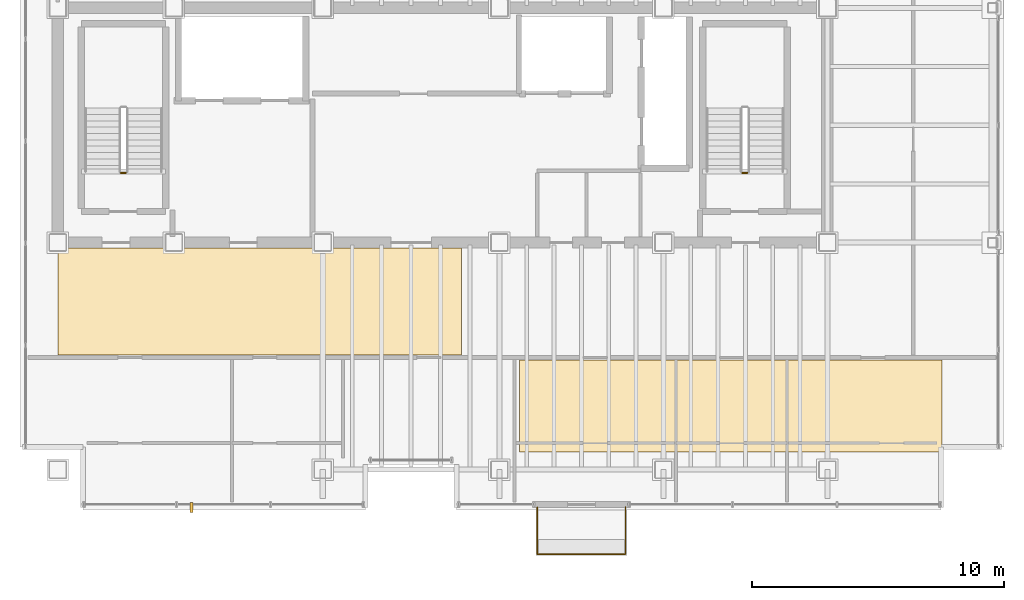
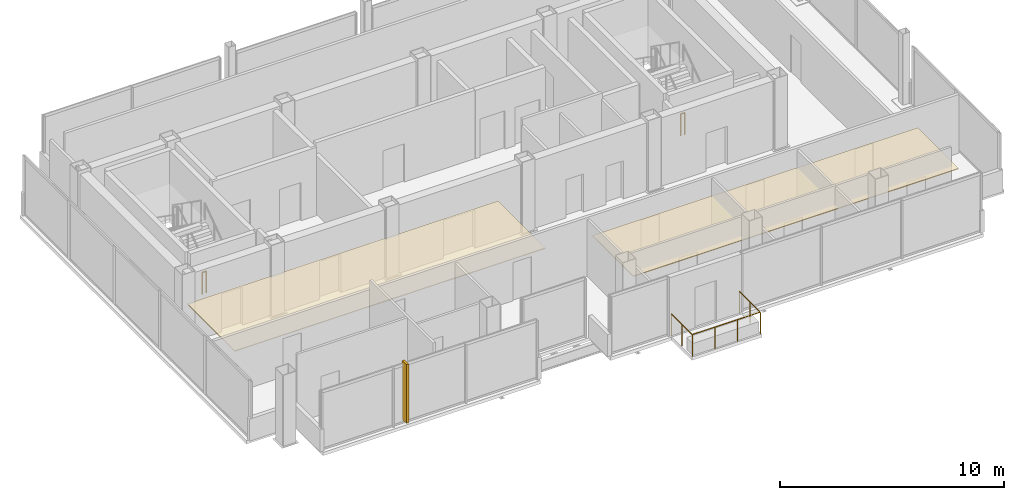
# One storey, part 16 of 17: 3 railings, 2 coverings, 1 shading device.
"""IFC4 building model written with IfcOpenShell, lengths in metres."""

from ifc_helpers import new_model, si_unit, direction, frame, origin, origin_2d, place, context, subcontext, project, spatial, polyline, rectangle, circle, outline, extrude, material, layer, layer_set, type_object, element, save


model = new_model("IFC4")

# Units and contexts
model_context = context("Model", 3, precision=1e-05, world=origin(), true_north=direction((0.0, 1.0)))
body_context = subcontext(model_context, "Body", "Model", "MODEL_VIEW")
ifc_project = project(units=[si_unit("LENGTHUNIT", "METRE"), si_unit("AREAUNIT", "SQUARE_METRE"), si_unit("VOLUMEUNIT", "CUBIC_METRE"), si_unit("PLANEANGLEUNIT", "RADIAN"), si_unit("MASSUNIT", "GRAM", prefix="KILO")], contexts=[model_context])

# Site, building, storey
site_placement = place(None, origin())
site = spatial("IfcSite", under=ifc_project, at=site_placement, CompositionType="ELEMENT")
building_placement = place(site_placement, origin())
building = spatial("IfcBuilding", under=site, at=building_placement, Name="Noeulbin Bourse Tower", CompositionType="ELEMENT")
storey_placement = place(building_placement, frame((0.0, 0.0, 293.0)))
storey = spatial("IfcBuildingStorey", under=building, at=storey_placement, Name="L73", CompositionType="ELEMENT", Elevation=293.0)

# Coverings
ifc_material_1 = material(Name="Perforated Mineral-Fibre Acoustic Tile")
ifc_layer_1 = layer(ifc_material_1, 0.0400390625)
ifc_layer_set_1 = layer_set([ifc_layer_1], Name="Perforated Mineral-Fibre Acoustic Tile")
covering_type_1 = type_object("IfcCoveringType", Name="COV-CEIL-ACT", PredefinedType="CEILING", material=ifc_layer_set_1)
covering_1_placement = place(storey_placement, frame((0.0, 0.0, 2.110107421875)))
element("IfcCovering", 1, at=covering_1_placement, inside=storey, type_object=covering_type_1, Name="Trading Suite Acoustic Ceiling L73", PredefinedType="CEILING", context=body_context, shape_type="SweptSolid", body=[
    extrude(outline(polyline([(31.800048828125, 20.699951171875), (48.550048828125, 20.699951171875), (48.550048828125, 24.35009765625), (31.800048828125, 24.35009765625), (31.800048828125, 20.699951171875)])), origin(), (0.0, 0.0, 1.0), 0.039794921875),
])
ifc_material_2 = material(Name="Linear Anodised Aluminium Baffle Ceiling", Category="aluminium")
ifc_layer_2 = layer(ifc_material_2, 0.050048828125)
ifc_layer_set_2 = layer_set([ifc_layer_2], Name="Linear Anodised Aluminium Baffle Ceiling")
covering_type_2 = type_object("IfcCoveringType", Name="COV-CEIL-MTL", PredefinedType="CEILING", material=ifc_layer_set_2)
covering_2_placement = place(storey_placement, frame((0.0, 0.0, 2.110107421875)))
element("IfcCovering", 2, at=covering_2_placement, inside=storey, type_object=covering_type_2, Name="Corridor Suspended Ceiling L73", PredefinedType="CEILING", context=body_context, shape_type="SweptSolid", body=[
    extrude(outline(polyline([(13.5, 24.550048828125), (29.5, 24.550048828125), (29.5, 28.780029296875), (13.5, 28.780029296875), (13.5, 24.550048828125)])), origin(), (0.0, 0.0, 1.0), 0.039794921875),
])

# Railings
ifc_material_3 = material(Name="Laminated SentryGlas and Stainless Steel 316", Category="steel")
ifc_layer_3 = layer(ifc_material_3, 0.06005859375)
ifc_layer_set_3 = layer_set([ifc_layer_3], Name="Laminated SentryGlas and Stainless Steel 316")
railing_type_1 = type_object("IfcRailingType", Name="RLG-BAL-1200", PredefinedType="BALUSTRADE", material=ifc_layer_set_3)
railing_1_placement = place(storey_placement, frame((32.5, 18.52001953125, 0.0)))
element("IfcRailing", 3, at=railing_1_placement, inside=storey, type_object=railing_type_1, Name="Tree-Balcony Glazed Balustrade L73", PredefinedType="BALUSTRADE", context=body_context, shape_type="SweptSolid", body=[
    extrude(circle(Radius=0.02392578125, at=origin_2d()), frame((0.0, 0.0, 1.17578125), z_axis=(0.0, -1.0, 0.0), x_axis=(1.0, 0.0, 0.0)), (0.0, 0.0, 1.0), 1.8701171875),
    extrude(circle(Radius=0.02392578125, at=origin_2d()), frame((0.0, -1.8701171875, 1.17578125), z_axis=(1.0, 0.0, 0.0), x_axis=(0.0, 1.0, 0.0)), (0.0, 0.0, 1.0), 3.5),
    extrude(circle(Radius=0.02392578125, at=origin_2d()), frame((3.5, -1.8701171875, 1.17578125), z_axis=(0.0, 1.0, 0.0), x_axis=(-1.0, 0.0, 0.0)), (0.0, 0.0, 1.0), 1.8701171875),
    extrude(circle(Radius=0.02099609375, at=origin_2d()), origin(), (0.0, 0.0, 1.0), 1.15185546875),
    extrude(circle(Radius=0.02099609375, at=origin_2d()), frame((0.0, -0.93505859375, 0.0)), (0.0, 0.0, 1.0), 1.15185546875),
    extrude(circle(Radius=0.02099609375, at=origin_2d()), frame((0.0, -1.8701171875, 0.0)), (0.0, 0.0, 1.0), 1.15185546875),
    extrude(circle(Radius=0.02099609375, at=origin_2d()), frame((1.166748046875, -1.8701171875, 0.0)), (0.0, 0.0, 1.0), 1.15185546875),
    extrude(circle(Radius=0.02099609375, at=origin_2d()), frame((2.333251953125, -1.8701171875, 0.0)), (0.0, 0.0, 1.0), 1.15185546875),
    extrude(circle(Radius=0.02099609375, at=origin_2d()), frame((3.5, -1.8701171875, 0.0)), (0.0, 0.0, 1.0), 1.15185546875),
    extrude(circle(Radius=0.02099609375, at=origin_2d()), frame((3.5, -0.93505859375, 0.0)), (0.0, 0.0, 1.0), 1.15185546875),
    extrude(circle(Radius=0.02099609375, at=origin_2d()), frame((3.5, 0.0, 0.0)), (0.0, 0.0, 1.0), 1.15185546875),
])
ifc_material_4 = material(Name="Painted Tubular Steel S355", Category="steel")
ifc_layer_4 = layer(ifc_material_4, 0.048095703125)
ifc_layer_set_4 = layer_set([ifc_layer_4], Name="Painted Tubular Steel S355")
railing_type_2 = type_object("IfcRailingType", Name="RLG-STR-GRD", PredefinedType="GUARDRAIL", material=ifc_layer_set_4)
railing_2_placement = place(storey_placement, frame((16.199951171875, 31.760009765625, 0.0)))
element("IfcRailing", 4, at=railing_2_placement, inside=storey, type_object=railing_type_2, Name="L73 ST-1 stair guard 4", PredefinedType="GUARDRAIL", context=body_context, shape_type="SweptSolid", body=[
    extrude(circle(Radius=0.02392578125, at=origin_2d()), frame((0.0, 0.0, 1.17578125), z_axis=(-1.0, 0.0, 0.0), x_axis=(0.0, -1.0, 0.0)), (0.0, 0.0, 1.0), 0.199951171875),
    extrude(circle(Radius=0.02099609375, at=origin_2d()), origin(), (0.0, 0.0, 1.0), 1.15185546875),
    extrude(circle(Radius=0.02099609375, at=origin_2d()), frame((-0.199951171875, 0.0, 0.0)), (0.0, 0.0, 1.0), 1.15185546875),
])
railing_3_placement = place(storey_placement, frame((40.830078125, 31.760009765625, 0.0)))
element("IfcRailing", 5, at=railing_3_placement, inside=storey, type_object=railing_type_2, Name="L73 ST-2 stair guard 4", PredefinedType="GUARDRAIL", context=body_context, shape_type="SweptSolid", body=[
    extrude(circle(Radius=0.02392578125, at=origin_2d()), frame((0.0, 0.0, 1.17578125), z_axis=(-1.0, 0.0, 0.0), x_axis=(0.0, -1.0, 0.0)), (0.0, 0.0, 1.0), 0.2001953125),
    extrude(circle(Radius=0.02099609375, at=origin_2d()), origin(), (0.0, 0.0, 1.0), 1.15185546875),
    extrude(circle(Radius=0.02099609375, at=origin_2d()), frame((-0.2001953125, 0.0, 0.0)), (0.0, 0.0, 1.0), 1.15185546875),
])

# Shading device
ifc_material_5 = material(Name="Anodised Aluminium 6063-T6", Category="aluminium")
ifc_layer_5 = layer(ifc_material_5, 3.199951171875)
ifc_layer_set_5 = layer_set([ifc_layer_5], Name="Anodised Aluminium 6063-T6")
shading_device_type = type_object("IfcShadingDeviceType", Name="SHD-FIN-400", PredefinedType="USERDEFINED", material=ifc_layer_set_5)
shading_device_placement = place(storey_placement, frame((18.800048828125, 18.5, 0.14990234375), z_axis=(0.0, 0.0, 1.0), x_axis=(1.0, 0.0, 0.0)))
element("IfcShadingDevice", 6, at=shading_device_placement, inside=storey, type_object=shading_device_type, Name="Vertical Solar Fin SN-L73-1", ObjectType="SUNSHADE", PredefinedType="USERDEFINED", context=body_context, shape_type="SweptSolid", body=[
    extrude(rectangle(XDim=0.1201171875, YDim=0.3798828125, at=origin_2d()), origin(), (0.0, 0.0, 1.0), 3.199951171875),
])

save(model, "model.ifc")
